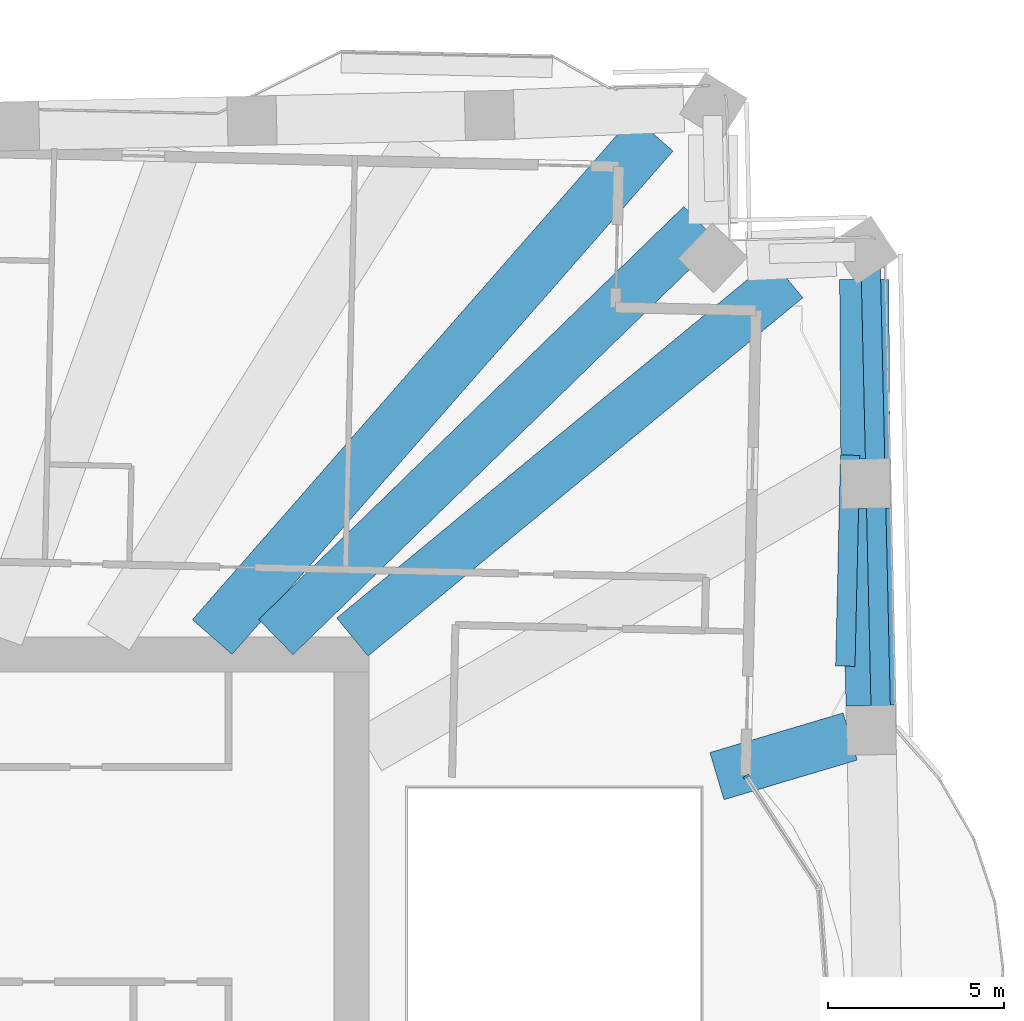
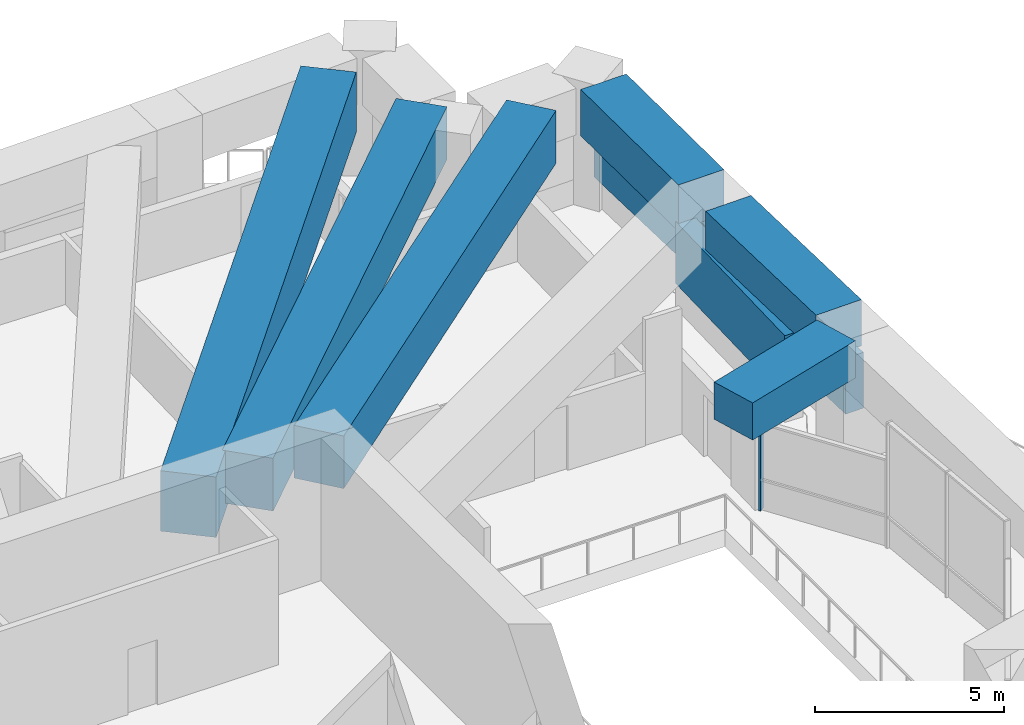
# One storey, part 7 of 20: 6 beams, 3 members, 1 element without a shape of its own.
"""IFC4 building model written with IfcOpenShell, lengths in metres."""

from ifc_helpers import new_model, si_unit, direction, frame, origin, origin_2d, place, context, subcontext, project, spatial, rectangle, extrude, material, material_profile, profile_set, type_object, element, aggregate, save


model = new_model("IFC4")

# Units and contexts
model_context = context("Model", 3, precision=1e-05, world=origin(), true_north=direction((0.0, 1.0)))
body_context = subcontext(model_context, "Body", "Model", "MODEL_VIEW")
ifc_project = project(units=[si_unit("LENGTHUNIT", "METRE"), si_unit("AREAUNIT", "SQUARE_METRE"), si_unit("VOLUMEUNIT", "CUBIC_METRE"), si_unit("PLANEANGLEUNIT", "RADIAN"), si_unit("MASSUNIT", "GRAM", prefix="KILO")], contexts=[model_context])

# Site, building, storey
site_placement = place(None, origin())
site = spatial("IfcSite", under=ifc_project, at=site_placement, CompositionType="ELEMENT")
building_placement = place(site_placement, origin())
building = spatial("IfcBuilding", under=site, at=building_placement, Name="Mangrove Gate Tower", CompositionType="ELEMENT")
storey_placement = place(building_placement, frame((0.0, 0.0, 97.300048828125)))
storey = spatial("IfcBuildingStorey", under=building, at=storey_placement, Name="L24", CompositionType="ELEMENT", Elevation=97.300048828125)

# Members
ifc_material_1 = material(Name="Planting on aluminium trellis", Category="aluminium")
ifc_material_profile_1 = material_profile(ifc_material_1, rectangle(XDim=0.550048828125, YDim=2.0, at=origin_2d()))
ifc_profile_set_1 = profile_set([ifc_material_profile_1], Name="Planting on aluminium trellis")
member_type_1 = type_object("IfcMemberType", Name="Balcony greenery screen 550x2000", PredefinedType="USERDEFINED", material=ifc_profile_set_1)
member_1_placement = place(storey_placement, frame((28.337890625, 10.972900390625, 1.800048828125), z_axis=(0.022706615587, 0.999742171567, 0.0), x_axis=(-0.999742171567, 0.022706615587, 0.0)))
element("IfcMember", 1, at=member_1_placement, inside=storey, type_object=member_type_1, Name="GREEN SCREEN L24 E1.1", ObjectType="PLANTING", PredefinedType="USERDEFINED", context=body_context, shape_type="SweptSolid", body=[
    extrude(rectangle(XDim=0.550048828125, YDim=2.0, at=origin_2d()), origin(), (0.0, 0.0, 1.0), 5.99951171875),
])
ifc_material_2 = material(Name="Planting on aluminium trellis", Category="aluminium")
ifc_material_profile_2 = material_profile(ifc_material_2, rectangle(XDim=0.550048828125, YDim=1.800048828125, at=origin_2d()))
ifc_profile_set_2 = profile_set([ifc_material_profile_2], Name="Planting on aluminium trellis")
member_type_2 = type_object("IfcMemberType", Name="Roof greenery screen 550x1800", PredefinedType="USERDEFINED", material=ifc_profile_set_2)
member_2_placement = place(storey_placement, frame((29.05908203125, 22.327880859375, 1.699951171875), z_axis=(0.022714046837, -0.999742002757, 0.0), x_axis=(0.999742002757, 0.022714046837, 0.0)))
element("IfcMember", 2, at=member_2_placement, inside=storey, type_object=member_type_2, Name="GREEN SCREEN L24 T1.2.6", ObjectType="PLANTING", PredefinedType="USERDEFINED", context=body_context, shape_type="SweptSolid", body=[
    extrude(rectangle(XDim=0.550048828125, YDim=1.800048828125, at=origin_2d()), origin(), (0.0, 0.0, 1.0), 12.812255859375),
])

# Curtain wall, member
ifc_material_3 = material(Name="Aluminium and glass curtain wall", Category="aluminium")
curtain_wall_type = type_object("IfcCurtainWallType", Name="Sky-lounge glazing wall", PredefinedType="NOTDEFINED", material=ifc_material_3)
curtain_wall_placement = place(storey_placement, origin())
curtain_wall = element("IfcCurtainWall", 3, at=curtain_wall_placement, inside=storey, type_object=curtain_wall_type, Name="Sky-lounge glazing E1f3", PredefinedType="NOTDEFINED")
ifc_material_4 = material(Name="Aluminium alloy 6063-T6", Category="aluminium")
ifc_material_profile_3 = material_profile(ifc_material_4, rectangle(XDim=0.06005859375, YDim=0.179931640625, at=origin_2d()))
ifc_profile_set_3 = profile_set([ifc_material_profile_3], Name="Aluminium alloy 6063-T6")
member_type_3 = type_object("IfcMemberType", Name="Sky-lounge glazing mullion 60x180", PredefinedType="MULLION", material=ifc_profile_set_3)
member_3_placement = place(storey_placement, frame((25.518310546875, 7.832275390625, 0.0), z_axis=(0.0, 0.0, 1.0), x_axis=(-0.546235085235, 0.837631918959, 0.0)))
member_3 = element("IfcMember", 4, at=member_3_placement, type_object=member_type_3, Name="CWK mullion 2", PredefinedType="MULLION", context=body_context, shape_type="SweptSolid", body=[
    extrude(rectangle(XDim=0.06005859375, YDim=0.179931640625, at=origin_2d()), origin(), (0.0, 0.0, 1.0), 2.849853515625),
])
aggregate(curtain_wall, [member_3])

# Beams
ifc_material_5 = material(Name="Concrete C70/85", Category="concrete")
ifc_material_profile_4 = material_profile(ifc_material_5, rectangle(XDim=1.39990234375, YDim=1.199951171875, at=origin_2d()))
ifc_profile_set_4 = profile_set([ifc_material_profile_4], Name="Concrete C70/85")
beam_type_1 = type_object("IfcBeamType", Name="Transfer girder RC 1400x1200 C70/85", PredefinedType="BEAM", material=ifc_profile_set_4)
beam_1_placement = place(storey_placement, frame((28.4736328125, 8.9716796875, 3.449951171875), z_axis=(-0.958527686039, -0.284999429993, 0.0), x_axis=(0.284999429993, -0.958527686039, 0.0)))
element("IfcBeam", 5, at=beam_1_placement, inside=storey, type_object=beam_type_1, Name="Transfer edge girder L24 16", PredefinedType="BEAM", context=body_context, shape_type="SweptSolid", body=[
    extrude(rectangle(XDim=1.39990234375, YDim=1.199951171875, at=origin_2d()), origin(), (0.0, 0.0, 1.0), 3.949951171875),
])
ifc_material_6 = material(Name="Concrete C70/85", Category="concrete")
ifc_material_profile_5 = material_profile(ifc_material_6, rectangle(XDim=1.39990234375, YDim=1.5, at=origin_2d()))
ifc_profile_set_5 = profile_set([ifc_material_profile_5], Name="Concrete C70/85")
beam_type_2 = type_object("IfcBeamType", Name="Transfer girder RC 1400x1500 C70/85", PredefinedType="BEAM", material=ifc_profile_set_5)
beam_2_placement = place(storey_placement, frame((29.057373046875, 9.849853515625, 3.300048828125), z_axis=(-0.022704608977, 0.99974221714, 0.0), x_axis=(-0.99974221714, -0.022704608977, 0.0)))
element("IfcBeam", 6, at=beam_2_placement, inside=storey, type_object=beam_type_2, Name="Transfer ring girder L24 16", PredefinedType="BEAM", context=body_context, shape_type="SweptSolid", body=[
    extrude(rectangle(XDim=1.39990234375, YDim=1.5, at=origin_2d()), origin(), (0.0, 0.0, 1.0), 5.613037109375),
])
beam_3_placement = place(storey_placement, frame((28.90966796875, 16.861083984375, 3.300048828125), z_axis=(-0.006550808608, 0.999978543223, 0.0), x_axis=(-0.999978543223, -0.006550808608, 0.0)))
element("IfcBeam", 7, at=beam_3_placement, inside=storey, type_object=beam_type_2, Name="Transfer ring girder L24 17", PredefinedType="BEAM", context=body_context, shape_type="SweptSolid", body=[
    extrude(rectangle(XDim=1.39990234375, YDim=1.5, at=origin_2d()), origin(), (0.0, 0.0, 1.0), 5.105712890625),
])
ifc_material_7 = material(Name="Concrete C70/85", Category="concrete")
ifc_material_profile_6 = material_profile(ifc_material_7, rectangle(XDim=1.39990234375, YDim=1.699951171875, at=origin_2d()))
ifc_profile_set_6 = profile_set([ifc_material_profile_6], Name="Concrete C70/85")
beam_type_3 = type_object("IfcBeamType", Name="Transfer girder RC 1400x1700 C70/85", PredefinedType="BEAM", material=ifc_profile_set_6)
beam_4_placement = place(storey_placement, frame((14.322021484375, 11.800048828125, 3.199951171875), z_axis=(0.771792076402, 0.635874980482, 0.0), x_axis=(-0.635874980482, 0.771792076402, 0.0)))
element("IfcBeam", 8, at=beam_4_placement, inside=storey, type_object=beam_type_3, Name="Transfer girder L24 18", PredefinedType="BEAM", context=body_context, shape_type="SweptSolid", body=[
    extrude(rectangle(XDim=1.39990234375, YDim=1.699951171875, at=origin_2d()), origin(), (0.0, 0.0, 1.0), 16.01904296875),
])
beam_5_placement = place(storey_placement, frame((12.146728515625, 11.800048828125, 3.199951171875), z_axis=(0.717283725842, 0.696781211458, 0.0), x_axis=(-0.696781211458, 0.717283725842, 0.0)))
element("IfcBeam", 9, at=beam_5_placement, inside=storey, type_object=beam_type_3, Name="Transfer girder L24 19", PredefinedType="BEAM", context=body_context, shape_type="SweptSolid", body=[
    extrude(rectangle(XDim=1.39990234375, YDim=1.699951171875, at=origin_2d()), origin(), (0.0, 0.0, 1.0), 16.849609375),
])
ifc_material_8 = material(Name="Concrete C70/85", Category="concrete")
ifc_material_profile_7 = material_profile(ifc_material_8, rectangle(XDim=1.5, YDim=1.949951171875, at=origin_2d()))
ifc_profile_set_7 = profile_set([ifc_material_profile_7], Name="Concrete C70/85")
beam_type_4 = type_object("IfcBeamType", Name="Transfer girder RC 1500x1950 C70/85", PredefinedType="BEAM", material=ifc_profile_set_7)
beam_6_placement = place(storey_placement, frame((10.337890625, 11.800048828125, 3.074951171875), z_axis=(0.658965957864, 0.75217276365, 0.0), x_axis=(-0.75217276365, 0.658965957864, 0.0)))
element("IfcBeam", 10, at=beam_6_placement, inside=storey, type_object=beam_type_4, Name="Transfer girder L24 20", PredefinedType="BEAM", context=body_context, shape_type="SweptSolid", body=[
    extrude(rectangle(XDim=1.5, YDim=1.949951171875, at=origin_2d()), origin(), (0.0, 0.0, 1.0), 19.02685546875),
])

save(model, "model.ifc")
